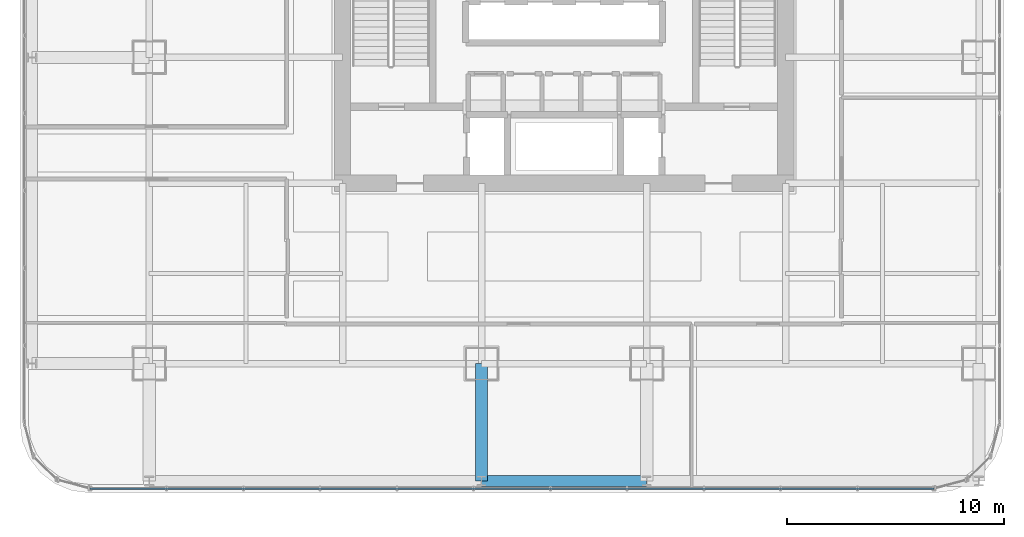
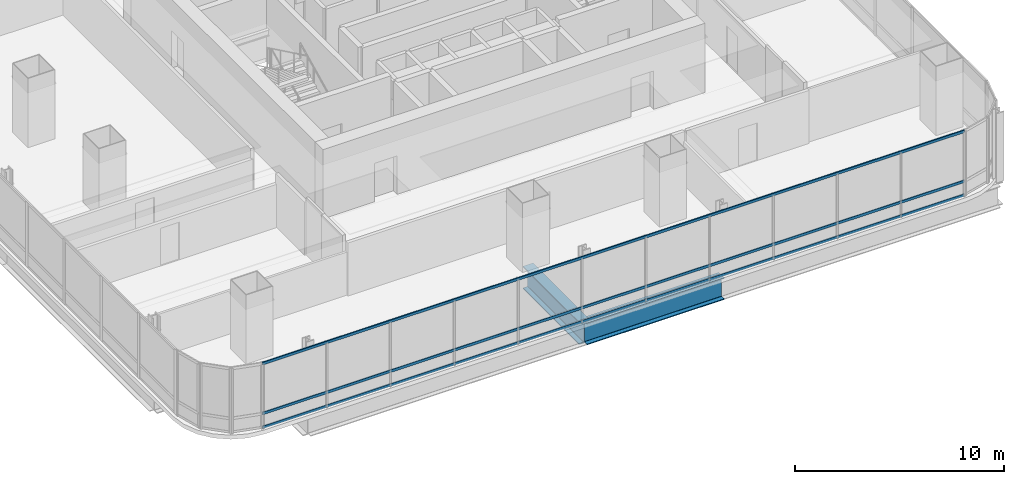
# One storey, part 7 of 35: 3 members, 2 beams, 1 element without a shape of its own.
"""IFC4 building model written with IfcOpenShell, lengths in metres."""

import ifcopenshell
import ifcopenshell.guid

model = None  # the IFC model being written
_history = None  # IfcOwnerHistory: only IFC2X3 demands one
_inside = {}  # id of a spatial element -> (the spatial element, [elements in it])
_under = {}  # id of a project, library or spatial element -> (it, [spatial elements below it])
_declared = {}  # id of a project -> (the project, [libraries it declares])
_typed = {}  # id of a type object -> (the type object, [elements of that type])
_made_of = {}  # id of a material, layer set ... -> (it, [elements and type objects made of it])


def new_model(schema):
    """Start an empty IFC model of exactly this schema.

    Asked for "IFC4X3", IfcOpenShell would pick the latest addendum, in which some entities
    have other attributes; the version numbers below select the first issue.
    IFC2X3 requires an IfcOwnerHistory on every rooted entity: one is made here for all.
    """
    global model, _history
    if schema == "IFC4X3":
        model = ifcopenshell.file(schema_version=(4, 3, 0, 0))
    else:
        model = ifcopenshell.file(schema=schema)
    _inside.clear()
    _under.clear()
    _declared.clear()
    _typed.clear()
    _made_of.clear()
    _history = None
    if model.schema == "IFC2X3":
        org = make("IfcOrganization", Name="unknown")
        user = make(
            "IfcPersonAndOrganization",
            ThePerson=make("IfcPerson", FamilyName="unknown"),
            TheOrganization=org,
        )
        app = make(
            "IfcApplication",
            ApplicationDeveloper=org,
            Version="unknown",
            ApplicationFullName="unknown",
            ApplicationIdentifier="unknown",
        )
        _history = make(
            "IfcOwnerHistory",
            OwningUser=user,
            OwningApplication=app,
            ChangeAction="ADDED",
            CreationDate=0,
        )
    return model


def make(cls, **values):
    """One entity of the class cls with the attributes given. An attribute that is None is left unset."""
    return model.create_entity(
        cls, **{name: value for name, value in values.items() if value is not None}
    )


def rooted(cls, **values):
    """An entity with a GlobalId (a new one), such as an element, a storey or a relation."""
    return make(cls, GlobalId=ifcopenshell.guid.new(), OwnerHistory=_history, **values)


def si_unit(unit_type, name, prefix=None):
    """IfcSIUnit, for example si_unit("LENGTHUNIT", "METRE", prefix="MILLI")."""
    return make("IfcSIUnit", UnitType=unit_type, Prefix=prefix, Name=name)


def assignment(units):
    """IfcUnitAssignment: the units of a project."""
    return None if units is None else make("IfcUnitAssignment", Units=units)


def point(xyz):
    """IfcCartesianPoint."""
    return None if xyz is None else make("IfcCartesianPoint", Coordinates=xyz)


def direction(xyz):
    """IfcDirection."""
    return None if xyz is None else make("IfcDirection", DirectionRatios=xyz)


def frame(location, z_axis=None, x_axis=None):
    """IfcAxis2Placement3D, a coordinate frame: its origin and axes. An axis left out is left unset."""
    return make(
        "IfcAxis2Placement3D",
        Location=point(location),
        Axis=direction(z_axis),
        RefDirection=direction(x_axis),
    )


def frame_2d(location, x_axis=None):
    """IfcAxis2Placement2D, a coordinate frame in the plane: its origin and x axis."""
    return make(
        "IfcAxis2Placement2D", Location=point(location), RefDirection=direction(x_axis)
    )


def origin():
    """The frame at (0, 0, 0) with its axes left unset."""
    return frame((0.0, 0.0, 0.0))


def origin_2d():
    """The frame at (0, 0) in the plane with its x axis left unset."""
    return frame_2d((0.0, 0.0))


def place(relative_to, where):
    """IfcLocalPlacement: puts the frame where relative to a parent placement (None: the world)."""
    return make(
        "IfcLocalPlacement", PlacementRelTo=relative_to, RelativePlacement=where
    )


def context(
    kind, dimensions, precision=None, world=None, true_north=None, identifier=None
):
    """IfcGeometricRepresentationContext, for example the 3D "Model" context."""
    return make(
        "IfcGeometricRepresentationContext",
        ContextIdentifier=identifier,
        ContextType=kind,
        CoordinateSpaceDimension=dimensions,
        Precision=precision,
        WorldCoordinateSystem=world,
        TrueNorth=true_north,
    )


def subcontext(parent, identifier, kind, view, scale=None):
    """IfcGeometricRepresentationSubContext, for example "Body" below "Model"."""
    return make(
        "IfcGeometricRepresentationSubContext",
        ContextIdentifier=identifier,
        ContextType=kind,
        ParentContext=parent,
        TargetScale=scale,
        TargetView=view,
    )


def project(units=None, contexts=None):
    """IfcProject with its units and contexts."""
    return rooted(
        "IfcProject",
        Name="project",
        RepresentationContexts=contexts,
        UnitsInContext=assignment(units),
    )


def spatial(cls, under=None, at=None, **own):
    """A site, building, storey or space (cls), placed at a placement, below another one or the project."""
    s = rooted(cls, ObjectPlacement=at, **own)
    if under is not None:
        _under.setdefault(under.id(), (under, []))[1].append(s)
    return s


def profile(cls, at=None, kind="AREA", **sizes):
    """A parametric profile (cls). Its sizes go by their IFC names, for example OverallWidth=200.0."""
    return make(cls, ProfileType=kind, Position=at, **sizes)


def hollow_rectangle(**sizes):
    """IfcRectangleHollowProfileDef."""
    return profile("IfcRectangleHollowProfileDef", **sizes)


def i_section(**sizes):
    """IfcIShapeProfileDef."""
    return profile("IfcIShapeProfileDef", **sizes)


def extrude(swept, where, along, depth):
    """IfcExtrudedAreaSolid: the profile swept, set in the frame where, extruded along a direction by depth."""
    return make(
        "IfcExtrudedAreaSolid",
        SweptArea=swept,
        Position=where,
        ExtrudedDirection=direction(along),
        Depth=depth,
    )


def shape(context_of_items, identifier, shape_type, items):
    """IfcShapeRepresentation: the items that make up one representation, for example the "Body"."""
    return make(
        "IfcShapeRepresentation",
        ContextOfItems=context_of_items,
        RepresentationIdentifier=identifier,
        RepresentationType=shape_type,
        Items=items,
    )


def material(Name=None, Category=None):
    """IfcMaterial."""
    return make("IfcMaterial", Name=Name, Category=Category)


def material_profile(
    of_material, cross_section, Name=None, Category=None, Priority=None
):
    """IfcMaterialProfile: a cross section and its material."""
    return make(
        "IfcMaterialProfile",
        Name=Name,
        Material=of_material,
        Profile=cross_section,
        Priority=Priority,
        Category=Category,
    )


def profile_set(profiles, Name=None, composite=None):
    """IfcMaterialProfileSet."""
    return make(
        "IfcMaterialProfileSet",
        Name=Name,
        MaterialProfiles=profiles,
        CompositeProfile=composite,
    )


def made_of(thing, what):
    """Note that an element or type object is made of a material, layer set ...; save() writes the relation."""
    if what is not None:
        _made_of.setdefault(what.id(), (what, []))[1].append(thing)
    return thing


def type_object(cls, material=None, **own):
    """A type object (cls), such as IfcWallType, which elements share."""
    return made_of(rooted(cls, **own), material)


def element(
    cls,
    number,
    at=None,
    inside=None,
    cuts=None,
    type_object=None,
    material=None,
    context=None,
    identifier="Body",
    shape_type=None,
    held_by="IfcProductDefinitionShape",
    body=None,
    shapes=None,
    **own,
):
    """One element of the class cls, such as IfcWall. Its Tag is "e" and its number.

    at: its placement. inside: the storey or other place that contains it. cuts: it is an
    opening in that element (IfcRelVoidsElement). A single representation is given by context,
    identifier, shape_type and body (its items); several are given by shapes. held_by: the class
    of the entity that holds the representations. save() writes the other relations.
    """
    e = rooted(cls, Tag="e%d" % number, ObjectPlacement=at, **own)
    if body is not None:
        shapes = [shape(context, identifier, shape_type, body)]
    if shapes is not None:
        e.Representation = make(held_by, Representations=shapes)
    if inside is not None:
        _inside.setdefault(inside.id(), (inside, []))[1].append(e)
    if cuts is not None:
        rooted(
            "IfcRelVoidsElement", RelatingBuildingElement=cuts, RelatedOpeningElement=e
        )
    if type_object is not None:
        _typed.setdefault(type_object.id(), (type_object, []))[1].append(e)
    return made_of(e, material)


def aggregate(whole, parts):
    """IfcRelAggregates: a whole, such as a stair, and the parts it consists of."""
    return rooted("IfcRelAggregates", RelatingObject=whole, RelatedObjects=parts)


def save(model, path):
    """Write the relations noted so far, then the file.

    IfcRelAggregates (storeys below a building ...), IfcRelContainedInSpatialStructure (elements
    in a storey), IfcRelDefinesByType, IfcRelAssociatesMaterial and IfcRelDeclares: one each for
    every whole, place, type object, material and project.
    """
    for whole, parts in _under.values():
        aggregate(whole, parts)
    for where, things in _inside.values():
        rooted(
            "IfcRelContainedInSpatialStructure",
            RelatedElements=things,
            RelatingStructure=where,
        )
    for kind, things in _typed.values():
        rooted("IfcRelDefinesByType", RelatedObjects=things, RelatingType=kind)
    for what, things in _made_of.values():
        rooted("IfcRelAssociatesMaterial", RelatedObjects=things, RelatingMaterial=what)
    for by, libraries in _declared.values():
        rooted("IfcRelDeclares", RelatingContext=by, RelatedDefinitions=libraries)
    model.write(path)


model = new_model("IFC4")

# Units and contexts
model_context = context("Model", 3, precision=1e-05, world=origin(), true_north=direction((0.0, 1.0)))
body_context = subcontext(model_context, "Body", "Model", "MODEL_VIEW")
ifc_project = project(units=[si_unit("LENGTHUNIT", "METRE"), si_unit("AREAUNIT", "SQUARE_METRE"), si_unit("VOLUMEUNIT", "CUBIC_METRE"), si_unit("PLANEANGLEUNIT", "RADIAN"), si_unit("MASSUNIT", "GRAM", prefix="KILO")], contexts=[model_context])

# Site, building, storey
site_placement = place(None, origin())
site = spatial("IfcSite", under=ifc_project, at=site_placement, CompositionType="ELEMENT")
building_placement = place(site_placement, origin())
building = spatial("IfcBuilding", under=site, at=building_placement, Name="Punatoya Terracotta Tower", CompositionType="ELEMENT")
storey_placement = place(building_placement, frame((0.0, 0.0, 52.5)))
storey = spatial("IfcBuildingStorey", under=building, at=storey_placement, Name="L11", CompositionType="ELEMENT", Elevation=52.5)

# Beams
ifc_material_1 = material(Name="Steel S460", Category="steel")
ifc_material_profile_1 = material_profile(ifc_material_1, i_section(OverallWidth=0.56005859375, OverallDepth=1.320068359375, WebThickness=0.035888671875, FlangeThickness=0.054931640625, FilletRadius=0.01806640625, at=origin_2d()))
ifc_profile_set_1 = profile_set([ifc_material_profile_1], Name="Steel S460")
beam_type_1 = type_object("IfcBeamType", Name="BM-TG-BLK", PredefinedType="BEAM", material=ifc_profile_set_1)
beam_1_placement = place(storey_placement, frame((-3.800048828125, -22.89990234375, -0.89990234375), z_axis=(0.0, 1.0, 0.0), x_axis=(-1.0, 0.0, 0.0)))
element("IfcBeam", 1, at=beam_1_placement, inside=storey, type_object=beam_type_1, Name="BM-L11-CANT-S2", PredefinedType="BEAM", context=body_context, shape_type="SweptSolid", body=[
    extrude(i_section(OverallWidth=0.56005859375, OverallDepth=1.320068359375, WebThickness=0.035888671875, FlangeThickness=0.054931640625, FilletRadius=0.01806640625, at=origin_2d()), origin(), (0.0, 0.0, 1.0), 5.39990234375),
])
ifc_material_profile_2 = material_profile(ifc_material_1, i_section(OverallWidth=0.52001953125, OverallDepth=1.280029296875, WebThickness=0.031982421875, FlangeThickness=0.050048828125, FilletRadius=0.01806640625, at=origin_2d()))
ifc_profile_set_2 = profile_set([ifc_material_profile_2], Name="Steel S460")
beam_type_2 = type_object("IfcBeamType", Name="BM-TG-NCK", PredefinedType="BEAM", material=ifc_profile_set_2)
beam_2_placement = place(storey_placement, frame((-3.800048828125, -22.89990234375, -0.8798828125), z_axis=(1.0, 0.0, 0.0), x_axis=(0.0, 1.0, 0.0)))
element("IfcBeam", 2, at=beam_2_placement, inside=storey, type_object=beam_type_2, Name="BM-L11-PER-S2", PredefinedType="BEAM", context=body_context, shape_type="SweptSolid", body=[
    extrude(i_section(OverallWidth=0.52001953125, OverallDepth=1.280029296875, WebThickness=0.031982421875, FlangeThickness=0.050048828125, FilletRadius=0.01806640625, at=origin_2d()), origin(), (0.0, 0.0, 1.0), 7.60009765625),
])

# Curtain wall, members
ifc_material_2 = material(Name="Aluminium 6063-T6 + Double Low-E Glass", Category="aluminium")
curtain_wall_type = type_object("IfcCurtainWallType", Name="CW-M1", PredefinedType="NOTDEFINED", material=ifc_material_2)
curtain_wall_placement = place(storey_placement, origin())
curtain_wall = element("IfcCurtainWall", 3, at=curtain_wall_placement, inside=storey, type_object=curtain_wall_type, Name="L11 Curtain Wall CW-L11-S01-1", PredefinedType="NOTDEFINED")
ifc_material_3 = material(Name="Aluminium 6063-T6", Category="aluminium")
ifc_material_profile_3 = material_profile(ifc_material_3, hollow_rectangle(XDim=0.068115234375, YDim=0.14990234375, WallThickness=0.00390625, at=origin_2d()))
ifc_profile_set_3 = profile_set([ifc_material_profile_3], Name="Aluminium 6063-T6")
member_type = type_object("IfcMemberType", Name="CW-TRN-TYP", PredefinedType="USERDEFINED", material=ifc_profile_set_3)
member_1_placement = place(storey_placement, frame((-21.8369140625, -23.25, 0.0400390625), z_axis=(1.0, 0.0, 0.0), x_axis=(0.0, 1.0, 0.0)))
member_1 = element("IfcMember", 4, at=member_1_placement, type_object=member_type, Name="CW-L11-S01-1 Transom 1", ObjectType="TRANSOM", PredefinedType="USERDEFINED", context=body_context, shape_type="SweptSolid", body=[
    extrude(hollow_rectangle(XDim=0.068115234375, YDim=0.14990234375, WallThickness=0.00390625, at=origin_2d()), origin(), (0.0, 0.0, 1.0), 38.873779296875),
])
member_2_placement = place(storey_placement, frame((-21.8369140625, -23.25, 0.85009765625), z_axis=(1.0, 0.0, 0.0), x_axis=(0.0, 1.0, 0.0)))
member_2 = element("IfcMember", 5, at=member_2_placement, type_object=member_type, Name="CW-L11-S01-1 Transom 2", ObjectType="TRANSOM", PredefinedType="USERDEFINED", context=body_context, shape_type="SweptSolid", body=[
    extrude(hollow_rectangle(XDim=0.068115234375, YDim=0.14990234375, WallThickness=0.00390625, at=origin_2d()), origin(), (0.0, 0.0, 1.0), 38.873779296875),
])
member_3_placement = place(storey_placement, frame((-21.8369140625, -23.25, 3.77001953125), z_axis=(1.0, 0.0, 0.0), x_axis=(0.0, 1.0, 0.0)))
member_3 = element("IfcMember", 6, at=member_3_placement, type_object=member_type, Name="CW-L11-S01-1 Transom 3", ObjectType="TRANSOM", PredefinedType="USERDEFINED", context=body_context, shape_type="SweptSolid", body=[
    extrude(hollow_rectangle(XDim=0.068115234375, YDim=0.14990234375, WallThickness=0.00390625, at=origin_2d()), origin(), (0.0, 0.0, 1.0), 38.873779296875),
])
aggregate(curtain_wall, [member_1, member_2, member_3])

save(model, "model.ifc")
